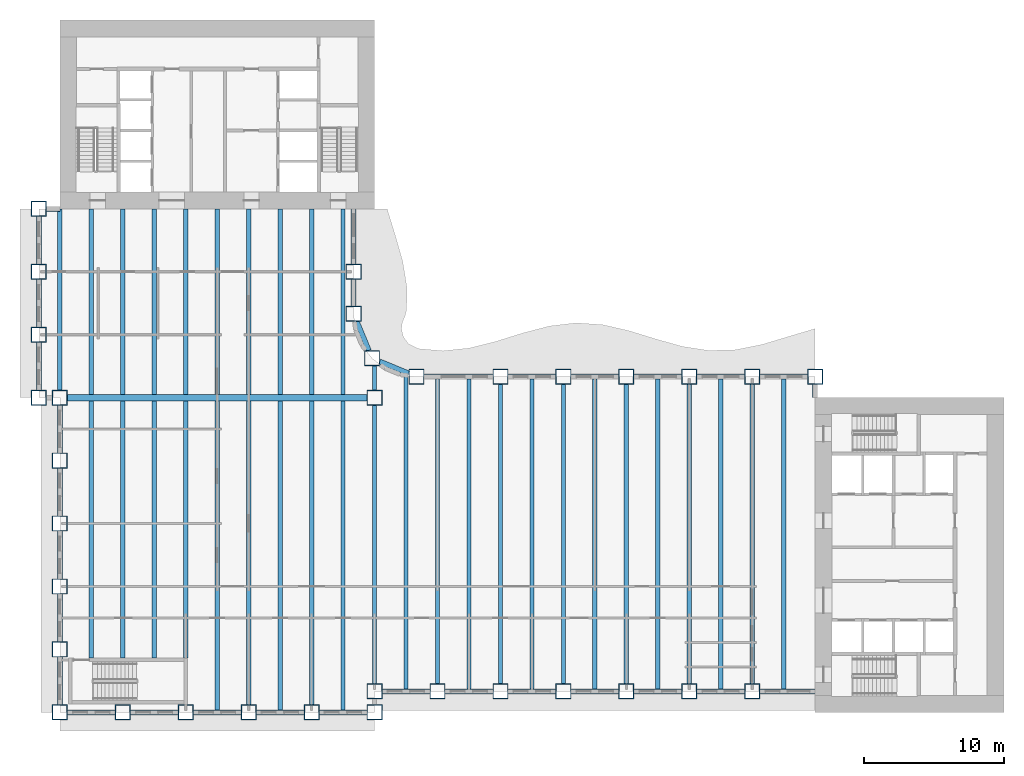
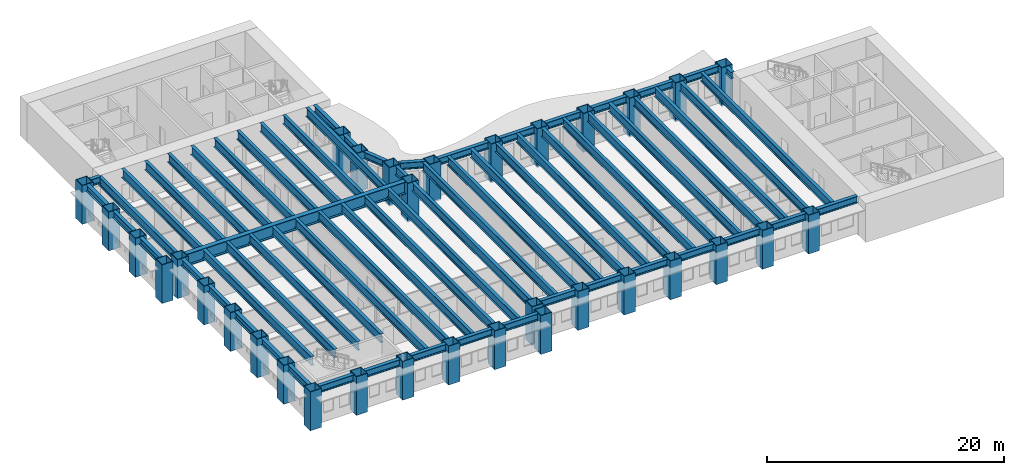
# One storey, part 1 of 16: 67 beams, 33 columns.
"""IFC4 building model written with IfcOpenShell, lengths in metres."""

from ifc_helpers import new_model, si_unit, direction, frame, origin, origin_2d, place, context, subcontext, project, spatial, hollow_rectangle, i_section, extrude, material, material_profile, profile_set, type_object, element, save


model = new_model("IFC4")

# Units and contexts
model_context = context("Model", 3, precision=1e-05, world=origin(), true_north=direction((0.0, 1.0)))
body_context = subcontext(model_context, "Body", "Model", "MODEL_VIEW")
ifc_project = project(units=[si_unit("LENGTHUNIT", "METRE"), si_unit("AREAUNIT", "SQUARE_METRE"), si_unit("VOLUMEUNIT", "CUBIC_METRE"), si_unit("PLANEANGLEUNIT", "RADIAN"), si_unit("MASSUNIT", "GRAM", prefix="KILO")], contexts=[model_context])

# Site, building, storey
site_placement = place(None, origin())
site = spatial("IfcSite", under=ifc_project, at=site_placement, CompositionType="ELEMENT")
building_placement = place(site_placement, origin())
building = spatial("IfcBuilding", under=site, at=building_placement, Name="Sennacour Bend Tower", CompositionType="ELEMENT")
storey_placement = place(building_placement, frame((0.0, 0.0, 57.0)))
storey = spatial("IfcBuildingStorey", under=building, at=storey_placement, Name="L12", CompositionType="ELEMENT", Elevation=57.0)

# Columns
ifc_material_1 = material(Name="Steel ASTM A572 Grade 50", Category="steel")
ifc_material_profile_1 = material_profile(ifc_material_1, hollow_rectangle(XDim=1.10009765625, YDim=1.10009765625, WallThickness=0.06005859375, at=origin_2d()), Name="Steel ASTM A572 Grade 50", Category="steel")
ifc_profile_set_1 = profile_set([ifc_material_profile_1], Name="Steel ASTM A572 Grade 50")
column_type = type_object("IfcColumnType", Name="Box column 1100", PredefinedType="COLUMN", material=ifc_profile_set_1)
for number, where, z_axis, x_axis, name in (
    (1, (-1.5, 22.5, -0.14990234375), (0.0, 0.0, 1.0), (1.0, 0.0, 0.0), "Perimeter column C1 L12-001"),
    (2, (-1.5, 27.0, -0.14990234375), (0.0, 0.0, 1.0), (1.0, 0.0, 0.0), "Perimeter column C1 L12-002"),
    (3, (-1.5, 31.5, -0.14990234375), (0.0, 0.0, 1.0), (1.0, 0.0, 0.0), "Perimeter column C1 L12-003"),
    (4, (-1.5, 36.0, -0.14990234375), (0.0, 0.0, 1.0), (1.0, 0.0, 0.0), "Perimeter column C1 L12-004"),
    (5, (0.0, 0.0, -0.14990234375), (0.0, 0.0, 1.0), (1.0, 0.0, 0.0), "Perimeter column C1 L12-005"),
    (6, (0.0, 4.5, -0.14990234375), (0.0, 0.0, 1.0), (1.0, 0.0, 0.0), "Perimeter column C1 L12-006"),
    (7, (0.0, 9.0, -0.14990234375), (0.0, 0.0, 1.0), (1.0, 0.0, 0.0), "Perimeter column C1 L12-007"),
    (8, (0.0, 13.5, -0.14990234375), (0.0, 0.0, 1.0), (1.0, 0.0, 0.0), "Perimeter column C1 L12-008"),
    (9, (0.0, 18.0, -0.14990234375), (0.0, 0.0, 1.0), (1.0, 0.0, 0.0), "Perimeter column C1 L12-009"),
    (10, (0.0, 22.5, -0.14990234375), (0.0, 0.0, 1.0), (1.0, 0.0, 0.0), "Perimeter column C1 L12-010"),
    (11, (4.5, 0.0, -0.14990234375), (0.0, 0.0, 1.0), (1.0, 0.0, 0.0), "Perimeter column C1 L12-011"),
    (12, (9.0, 0.0, -0.14990234375), (0.0, 0.0, 1.0), (1.0, 0.0, 0.0), "Perimeter column C1 L12-012"),
    (13, (13.5, 0.0, -0.14990234375), (0.0, 0.0, 1.0), (1.0, 0.0, 0.0), "Perimeter column C1 L12-013"),
    (14, (18.0, 0.0, -0.14990234375), (0.0, 0.0, 1.0), (1.0, 0.0, 0.0), "Perimeter column C1 L12-014"),
    (15, (21.0, 28.5, -0.14990234375), (0.0, 0.0, 1.0), (1.0, 0.0, 0.0), "Perimeter column C1 L12-015"),
    (16, (21.0, 31.5, -0.14990234375), (0.0, 0.0, 1.0), (1.0, 0.0, 0.0), "Perimeter column C1 L12-016"),
    (17, (22.318115234375, 25.318115234375, -0.14990234375), (0.0, 0.0, 1.0), (1.0, 0.0, 0.0), "Perimeter column C1 L12-017"),
    (18, (22.5, 0.0, -0.14990234375), (0.0, 0.0, 1.0), (1.0, 0.0, 0.0), "Perimeter column C1 L12-018"),
    (19, (22.5, 1.5, -0.14990234375), (0.0, 0.0, 1.0), (1.0, 0.0, 0.0), "Perimeter column C1 L12-019"),
    (20, (22.5, 22.5, -0.14990234375), (0.0, 0.0, 1.0), (1.0, 0.0, 0.0), "Knuckle column C1 L12-020"),
    (21, (25.5, 24.0, -0.14990234375), (0.0, 0.0, 1.0), (1.0, 0.0, 0.0), "Perimeter column C1 L12-021"),
    (22, (27.0, 1.5, -0.14990234375), (0.0, 0.0, 1.0), (1.0, 0.0, 0.0), "Perimeter column C1 L12-022"),
    (23, (31.5, 1.5, -0.14990234375), (0.0, 0.0, 1.0), (1.0, 0.0, 0.0), "Perimeter column C1 L12-023"),
    (24, (31.5, 24.0, -0.14990234375), (0.0, 0.0, 1.0), (1.0, 0.0, 0.0), "Perimeter column C1 L12-024"),
    (25, (36.0, 1.5, -0.14990234375), (0.0, 0.0, 1.0), (1.0, 0.0, 0.0), "Perimeter column C1 L12-025"),
    (26, (36.0, 24.0, -0.14990234375), (0.0, 0.0, 1.0), (1.0, 0.0, 0.0), "Perimeter column C1 L12-026"),
    (27, (40.5, 1.5, -0.14990234375), (0.0, 0.0, 1.0), (1.0, 0.0, 0.0), "Perimeter column C1 L12-027"),
    (28, (40.5, 24.0, -0.14990234375), (0.0, 0.0, 1.0), (1.0, 0.0, 0.0), "Perimeter column C1 L12-028"),
    (29, (45.0, 1.5, -0.14990234375), (0.0, 0.0, 1.0), (1.0, 0.0, 0.0), "Perimeter column C1 L12-029"),
    (30, (45.0, 24.0, -0.14990234375), (0.0, 0.0, 1.0), (1.0, 0.0, 0.0), "Perimeter column C1 L12-030"),
    (31, (49.5, 1.5, -0.14990234375), (0.0, 0.0, 1.0), (1.0, 0.0, 0.0), "Perimeter column C1 L12-031"),
    (32, (49.5, 24.0, -0.14990234375), (0.0, 0.0, 1.0), (1.0, 0.0, 0.0), "Perimeter column C1 L12-032"),
    (33, (54.0, 24.0, -0.14990234375), (0.0, 0.0, 1.0), (1.0, 0.0, 0.0), "Perimeter column C1 L12-033"),
):
    element("IfcColumn", number, at=place(storey_placement, frame(where, z_axis=z_axis, x_axis=x_axis)), inside=storey, type_object=column_type, Name=name, PredefinedType="COLUMN", context=body_context, shape_type="SweptSolid", body=[
        extrude(hollow_rectangle(XDim=1.10009765625, YDim=1.10009765625, WallThickness=0.06005859375, at=origin_2d()), origin(), (0.0, 0.0, 1.0), 4.0),
    ])

# Beams
ifc_material_2 = material(Name="Steel ASTM A992 Grade 50", Category="steel")
ifc_material_profile_2 = material_profile(ifc_material_2, i_section(OverallWidth=0.304931640625, OverallDepth=0.912109375, WebThickness=0.015869140625, FlangeThickness=0.02392578125, FilletRadius=0.01904296875, at=origin_2d()), Name="Steel ASTM A992 Grade 50", Category="steel")
ifc_profile_set_2 = profile_set([ifc_material_profile_2], Name="Steel ASTM A992 Grade 50")
beam_type_1 = type_object("IfcBeamType", Name="Floor beam W920X223", PredefinedType="BEAM", material=ifc_profile_set_2)
beam_1_placement = place(storey_placement, frame((0.0, 23.050048828125, 3.39404296875), z_axis=(0.0, 1.0, 0.0), x_axis=(-1.0, 0.0, 0.0)))
element("IfcBeam", 34, at=beam_1_placement, inside=storey, type_object=beam_type_1, Name="Floor beam FBM1 L13-001", PredefinedType="BEAM", context=body_context, shape_type="SweptSolid", body=[
    extrude(i_section(OverallWidth=0.304931640625, OverallDepth=0.912109375, WebThickness=0.015869140625, FlangeThickness=0.02392578125, FilletRadius=0.01904296875, at=origin_2d()), origin(), (0.0, 0.0, 1.0), 12.949951171875),
])
beam_2_placement = place(storey_placement, frame((2.25, 3.875, 3.39404296875), z_axis=(0.0, 1.0, 0.0), x_axis=(-1.0, 0.0, 0.0)))
element("IfcBeam", 35, at=beam_2_placement, inside=storey, type_object=beam_type_1, Name="Floor beam FBM1 L13-002", PredefinedType="BEAM", context=body_context, shape_type="SweptSolid", body=[
    extrude(i_section(OverallWidth=0.304931640625, OverallDepth=0.912109375, WebThickness=0.015869140625, FlangeThickness=0.02392578125, FilletRadius=0.01904296875, at=origin_2d()), origin(), (0.0, 0.0, 1.0), 18.39990234375),
])
beam_3_placement = place(storey_placement, frame((2.25, 22.72509765625, 3.39404296875), z_axis=(0.0, 1.0, 0.0), x_axis=(-1.0, 0.0, 0.0)))
element("IfcBeam", 36, at=beam_3_placement, inside=storey, type_object=beam_type_1, Name="Floor beam FBM1 L13-003", PredefinedType="BEAM", context=body_context, shape_type="SweptSolid", body=[
    extrude(i_section(OverallWidth=0.304931640625, OverallDepth=0.912109375, WebThickness=0.015869140625, FlangeThickness=0.02392578125, FilletRadius=0.01904296875, at=origin_2d()), origin(), (0.0, 0.0, 1.0), 13.27490234375),
])
beam_4_placement = place(storey_placement, frame((4.5, 3.875, 3.39404296875), z_axis=(0.0, 1.0, 0.0), x_axis=(-1.0, 0.0, 0.0)))
element("IfcBeam", 37, at=beam_4_placement, inside=storey, type_object=beam_type_1, Name="Floor beam FBM1 L13-004", PredefinedType="BEAM", context=body_context, shape_type="SweptSolid", body=[
    extrude(i_section(OverallWidth=0.304931640625, OverallDepth=0.912109375, WebThickness=0.015869140625, FlangeThickness=0.02392578125, FilletRadius=0.01904296875, at=origin_2d()), origin(), (0.0, 0.0, 1.0), 18.39990234375),
])
beam_5_placement = place(storey_placement, frame((4.5, 22.72509765625, 3.39404296875), z_axis=(0.0, 1.0, 0.0), x_axis=(-1.0, 0.0, 0.0)))
element("IfcBeam", 38, at=beam_5_placement, inside=storey, type_object=beam_type_1, Name="Floor beam FBM1 L13-005", PredefinedType="BEAM", context=body_context, shape_type="SweptSolid", body=[
    extrude(i_section(OverallWidth=0.304931640625, OverallDepth=0.912109375, WebThickness=0.015869140625, FlangeThickness=0.02392578125, FilletRadius=0.01904296875, at=origin_2d()), origin(), (0.0, 0.0, 1.0), 13.27490234375),
])
beam_6_placement = place(storey_placement, frame((6.75, 3.875, 3.39404296875), z_axis=(0.0, 1.0, 0.0), x_axis=(-1.0, 0.0, 0.0)))
element("IfcBeam", 39, at=beam_6_placement, inside=storey, type_object=beam_type_1, Name="Floor beam FBM1 L13-006", PredefinedType="BEAM", context=body_context, shape_type="SweptSolid", body=[
    extrude(i_section(OverallWidth=0.304931640625, OverallDepth=0.912109375, WebThickness=0.015869140625, FlangeThickness=0.02392578125, FilletRadius=0.01904296875, at=origin_2d()), origin(), (0.0, 0.0, 1.0), 18.39990234375),
])
beam_7_placement = place(storey_placement, frame((6.75, 22.72509765625, 3.39404296875), z_axis=(0.0, 1.0, 0.0), x_axis=(-1.0, 0.0, 0.0)))
element("IfcBeam", 40, at=beam_7_placement, inside=storey, type_object=beam_type_1, Name="Floor beam FBM1 L13-007", PredefinedType="BEAM", context=body_context, shape_type="SweptSolid", body=[
    extrude(i_section(OverallWidth=0.304931640625, OverallDepth=0.912109375, WebThickness=0.015869140625, FlangeThickness=0.02392578125, FilletRadius=0.01904296875, at=origin_2d()), origin(), (0.0, 0.0, 1.0), 13.27490234375),
])
beam_8_placement = place(storey_placement, frame((9.0, 3.875, 3.39404296875), z_axis=(0.0, 1.0, 0.0), x_axis=(-1.0, 0.0, 0.0)))
element("IfcBeam", 41, at=beam_8_placement, inside=storey, type_object=beam_type_1, Name="Floor beam FBM1 L13-008", PredefinedType="BEAM", context=body_context, shape_type="SweptSolid", body=[
    extrude(i_section(OverallWidth=0.304931640625, OverallDepth=0.912109375, WebThickness=0.015869140625, FlangeThickness=0.02392578125, FilletRadius=0.01904296875, at=origin_2d()), origin(), (0.0, 0.0, 1.0), 18.39990234375),
])
beam_9_placement = place(storey_placement, frame((9.0, 22.72509765625, 3.39404296875), z_axis=(0.0, 1.0, 0.0), x_axis=(-1.0, 0.0, 0.0)))
element("IfcBeam", 42, at=beam_9_placement, inside=storey, type_object=beam_type_1, Name="Floor beam FBM1 L13-009", PredefinedType="BEAM", context=body_context, shape_type="SweptSolid", body=[
    extrude(i_section(OverallWidth=0.304931640625, OverallDepth=0.912109375, WebThickness=0.015869140625, FlangeThickness=0.02392578125, FilletRadius=0.01904296875, at=origin_2d()), origin(), (0.0, 0.0, 1.0), 13.27490234375),
])
beam_10_placement = place(storey_placement, frame((11.25, 0.178955078125, 3.39404296875), z_axis=(0.0, 1.0, 0.0), x_axis=(-1.0, 0.0, 0.0)))
element("IfcBeam", 43, at=beam_10_placement, inside=storey, type_object=beam_type_1, Name="Floor beam FBM1 L13-010", PredefinedType="BEAM", context=body_context, shape_type="SweptSolid", body=[
    extrude(i_section(OverallWidth=0.304931640625, OverallDepth=0.912109375, WebThickness=0.015869140625, FlangeThickness=0.02392578125, FilletRadius=0.01904296875, at=origin_2d()), origin(), (0.0, 0.0, 1.0), 22.095947265625),
])
beam_11_placement = place(storey_placement, frame((11.25, 22.72509765625, 3.39404296875), z_axis=(0.0, 1.0, 0.0), x_axis=(-1.0, 0.0, 0.0)))
element("IfcBeam", 44, at=beam_11_placement, inside=storey, type_object=beam_type_1, Name="Floor beam FBM1 L13-011", PredefinedType="BEAM", context=body_context, shape_type="SweptSolid", body=[
    extrude(i_section(OverallWidth=0.304931640625, OverallDepth=0.912109375, WebThickness=0.015869140625, FlangeThickness=0.02392578125, FilletRadius=0.01904296875, at=origin_2d()), origin(), (0.0, 0.0, 1.0), 13.27490234375),
])
beam_12_placement = place(storey_placement, frame((13.5, 0.550048828125, 3.39404296875), z_axis=(0.0, 1.0, 0.0), x_axis=(-1.0, 0.0, 0.0)))
element("IfcBeam", 45, at=beam_12_placement, inside=storey, type_object=beam_type_1, Name="Floor beam FBM1 L13-012", PredefinedType="BEAM", context=body_context, shape_type="SweptSolid", body=[
    extrude(i_section(OverallWidth=0.304931640625, OverallDepth=0.912109375, WebThickness=0.015869140625, FlangeThickness=0.02392578125, FilletRadius=0.01904296875, at=origin_2d()), origin(), (0.0, 0.0, 1.0), 21.724853515625),
])
beam_13_placement = place(storey_placement, frame((13.5, 22.72509765625, 3.39404296875), z_axis=(0.0, 1.0, 0.0), x_axis=(-1.0, 0.0, 0.0)))
element("IfcBeam", 46, at=beam_13_placement, inside=storey, type_object=beam_type_1, Name="Floor beam FBM1 L13-013", PredefinedType="BEAM", context=body_context, shape_type="SweptSolid", body=[
    extrude(i_section(OverallWidth=0.304931640625, OverallDepth=0.912109375, WebThickness=0.015869140625, FlangeThickness=0.02392578125, FilletRadius=0.01904296875, at=origin_2d()), origin(), (0.0, 0.0, 1.0), 13.27490234375),
])
beam_14_placement = place(storey_placement, frame((15.75, 0.178955078125, 3.39404296875), z_axis=(0.0, 1.0, 0.0), x_axis=(-1.0, 0.0, 0.0)))
element("IfcBeam", 47, at=beam_14_placement, inside=storey, type_object=beam_type_1, Name="Floor beam FBM1 L13-014", PredefinedType="BEAM", context=body_context, shape_type="SweptSolid", body=[
    extrude(i_section(OverallWidth=0.304931640625, OverallDepth=0.912109375, WebThickness=0.015869140625, FlangeThickness=0.02392578125, FilletRadius=0.01904296875, at=origin_2d()), origin(), (0.0, 0.0, 1.0), 22.095947265625),
])
beam_15_placement = place(storey_placement, frame((15.75, 22.72509765625, 3.39404296875), z_axis=(0.0, 1.0, 0.0), x_axis=(-1.0, 0.0, 0.0)))
element("IfcBeam", 48, at=beam_15_placement, inside=storey, type_object=beam_type_1, Name="Floor beam FBM1 L13-015", PredefinedType="BEAM", context=body_context, shape_type="SweptSolid", body=[
    extrude(i_section(OverallWidth=0.304931640625, OverallDepth=0.912109375, WebThickness=0.015869140625, FlangeThickness=0.02392578125, FilletRadius=0.01904296875, at=origin_2d()), origin(), (0.0, 0.0, 1.0), 13.27490234375),
])
beam_16_placement = place(storey_placement, frame((18.0, 0.550048828125, 3.39404296875), z_axis=(0.0, 1.0, 0.0), x_axis=(-1.0, 0.0, 0.0)))
element("IfcBeam", 49, at=beam_16_placement, inside=storey, type_object=beam_type_1, Name="Floor beam FBM1 L13-016", PredefinedType="BEAM", context=body_context, shape_type="SweptSolid", body=[
    extrude(i_section(OverallWidth=0.304931640625, OverallDepth=0.912109375, WebThickness=0.015869140625, FlangeThickness=0.02392578125, FilletRadius=0.01904296875, at=origin_2d()), origin(), (0.0, 0.0, 1.0), 21.724853515625),
])
beam_17_placement = place(storey_placement, frame((18.0, 22.72509765625, 3.39404296875), z_axis=(0.0, 1.0, 0.0), x_axis=(-1.0, 0.0, 0.0)))
element("IfcBeam", 50, at=beam_17_placement, inside=storey, type_object=beam_type_1, Name="Floor beam FBM1 L13-017", PredefinedType="BEAM", context=body_context, shape_type="SweptSolid", body=[
    extrude(i_section(OverallWidth=0.304931640625, OverallDepth=0.912109375, WebThickness=0.015869140625, FlangeThickness=0.02392578125, FilletRadius=0.01904296875, at=origin_2d()), origin(), (0.0, 0.0, 1.0), 13.27490234375),
])
beam_18_placement = place(storey_placement, frame((20.25, 0.178955078125, 3.39404296875), z_axis=(0.0, 1.0, 0.0), x_axis=(-1.0, 0.0, 0.0)))
element("IfcBeam", 51, at=beam_18_placement, inside=storey, type_object=beam_type_1, Name="Floor beam FBM1 L13-018", PredefinedType="BEAM", context=body_context, shape_type="SweptSolid", body=[
    extrude(i_section(OverallWidth=0.304931640625, OverallDepth=0.912109375, WebThickness=0.015869140625, FlangeThickness=0.02392578125, FilletRadius=0.01904296875, at=origin_2d()), origin(), (0.0, 0.0, 1.0), 22.095947265625),
])
beam_19_placement = place(storey_placement, frame((20.25, 22.72509765625, 3.39404296875), z_axis=(0.0, 1.0, 0.0), x_axis=(-1.0, 0.0, 0.0)))
element("IfcBeam", 52, at=beam_19_placement, inside=storey, type_object=beam_type_1, Name="Floor beam FBM1 L13-019", PredefinedType="BEAM", context=body_context, shape_type="SweptSolid", body=[
    extrude(i_section(OverallWidth=0.304931640625, OverallDepth=0.912109375, WebThickness=0.015869140625, FlangeThickness=0.02392578125, FilletRadius=0.01904296875, at=origin_2d()), origin(), (0.0, 0.0, 1.0), 13.27490234375),
])
beam_20_placement = place(storey_placement, frame((22.5, 2.050048828125, 3.39404296875), z_axis=(0.0, 1.0, 0.0), x_axis=(-1.0, 0.0, 0.0)))
element("IfcBeam", 53, at=beam_20_placement, inside=storey, type_object=beam_type_1, Name="Floor beam FBM1 L13-020", PredefinedType="BEAM", context=body_context, shape_type="SweptSolid", body=[
    extrude(i_section(OverallWidth=0.304931640625, OverallDepth=0.912109375, WebThickness=0.015869140625, FlangeThickness=0.02392578125, FilletRadius=0.01904296875, at=origin_2d()), origin(), (0.0, 0.0, 1.0), 19.89990234375),
])
beam_21_placement = place(storey_placement, frame((22.5, 23.050048828125, 3.39404296875), z_axis=(0.0, 1.0, 0.0), x_axis=(-1.0, 0.0, 0.0)))
element("IfcBeam", 54, at=beam_21_placement, inside=storey, type_object=beam_type_1, Name="Floor beam FBM1 L13-021", PredefinedType="BEAM", context=body_context, shape_type="SweptSolid", body=[
    extrude(i_section(OverallWidth=0.304931640625, OverallDepth=0.912109375, WebThickness=0.015869140625, FlangeThickness=0.02392578125, FilletRadius=0.01904296875, at=origin_2d()), origin(), (0.0, 0.0, 1.0), 1.718017578125),
])
beam_22_placement = place(storey_placement, frame((24.75, 1.678955078125, 3.39404296875), z_axis=(0.0, 1.0, 0.0), x_axis=(-1.0, 0.0, 0.0)))
element("IfcBeam", 55, at=beam_22_placement, inside=storey, type_object=beam_type_1, Name="Floor beam FBM1 L13-022", PredefinedType="BEAM", context=body_context, shape_type="SweptSolid", body=[
    extrude(i_section(OverallWidth=0.304931640625, OverallDepth=0.912109375, WebThickness=0.015869140625, FlangeThickness=0.02392578125, FilletRadius=0.01904296875, at=origin_2d()), origin(), (0.0, 0.0, 1.0), 22.43798828125),
])
beam_23_placement = place(storey_placement, frame((27.0, 2.050048828125, 3.39404296875), z_axis=(0.0, 1.0, 0.0), x_axis=(-1.0, 0.0, 0.0)))
element("IfcBeam", 56, at=beam_23_placement, inside=storey, type_object=beam_type_1, Name="Floor beam FBM1 L13-023", PredefinedType="BEAM", context=body_context, shape_type="SweptSolid", body=[
    extrude(i_section(OverallWidth=0.304931640625, OverallDepth=0.912109375, WebThickness=0.015869140625, FlangeThickness=0.02392578125, FilletRadius=0.01904296875, at=origin_2d()), origin(), (0.0, 0.0, 1.0), 21.77099609375),
])
beam_24_placement = place(storey_placement, frame((29.25, 1.678955078125, 3.39404296875), z_axis=(0.0, 1.0, 0.0), x_axis=(-1.0, 0.0, 0.0)))
element("IfcBeam", 57, at=beam_24_placement, inside=storey, type_object=beam_type_1, Name="Floor beam FBM1 L13-024", PredefinedType="BEAM", context=body_context, shape_type="SweptSolid", body=[
    extrude(i_section(OverallWidth=0.304931640625, OverallDepth=0.912109375, WebThickness=0.015869140625, FlangeThickness=0.02392578125, FilletRadius=0.01904296875, at=origin_2d()), origin(), (0.0, 0.0, 1.0), 22.14208984375),
])
beam_25_placement = place(storey_placement, frame((31.5, 2.050048828125, 3.39404296875), z_axis=(0.0, 1.0, 0.0), x_axis=(-1.0, 0.0, 0.0)))
element("IfcBeam", 58, at=beam_25_placement, inside=storey, type_object=beam_type_1, Name="Floor beam FBM1 L13-025", PredefinedType="BEAM", context=body_context, shape_type="SweptSolid", body=[
    extrude(i_section(OverallWidth=0.304931640625, OverallDepth=0.912109375, WebThickness=0.015869140625, FlangeThickness=0.02392578125, FilletRadius=0.01904296875, at=origin_2d()), origin(), (0.0, 0.0, 1.0), 21.39990234375),
])
beam_26_placement = place(storey_placement, frame((33.75, 1.678955078125, 3.39404296875), z_axis=(0.0, 1.0, 0.0), x_axis=(-1.0, 0.0, 0.0)))
element("IfcBeam", 59, at=beam_26_placement, inside=storey, type_object=beam_type_1, Name="Floor beam FBM1 L13-026", PredefinedType="BEAM", context=body_context, shape_type="SweptSolid", body=[
    extrude(i_section(OverallWidth=0.304931640625, OverallDepth=0.912109375, WebThickness=0.015869140625, FlangeThickness=0.02392578125, FilletRadius=0.01904296875, at=origin_2d()), origin(), (0.0, 0.0, 1.0), 22.14208984375),
])
beam_27_placement = place(storey_placement, frame((36.0, 2.050048828125, 3.39404296875), z_axis=(0.0, 1.0, 0.0), x_axis=(-1.0, 0.0, 0.0)))
element("IfcBeam", 60, at=beam_27_placement, inside=storey, type_object=beam_type_1, Name="Floor beam FBM1 L13-027", PredefinedType="BEAM", context=body_context, shape_type="SweptSolid", body=[
    extrude(i_section(OverallWidth=0.304931640625, OverallDepth=0.912109375, WebThickness=0.015869140625, FlangeThickness=0.02392578125, FilletRadius=0.01904296875, at=origin_2d()), origin(), (0.0, 0.0, 1.0), 21.39990234375),
])
beam_28_placement = place(storey_placement, frame((38.25, 1.678955078125, 3.39404296875), z_axis=(0.0, 1.0, 0.0), x_axis=(-1.0, 0.0, 0.0)))
element("IfcBeam", 61, at=beam_28_placement, inside=storey, type_object=beam_type_1, Name="Floor beam FBM1 L13-028", PredefinedType="BEAM", context=body_context, shape_type="SweptSolid", body=[
    extrude(i_section(OverallWidth=0.304931640625, OverallDepth=0.912109375, WebThickness=0.015869140625, FlangeThickness=0.02392578125, FilletRadius=0.01904296875, at=origin_2d()), origin(), (0.0, 0.0, 1.0), 22.14208984375),
])
beam_29_placement = place(storey_placement, frame((40.5, 2.050048828125, 3.39404296875), z_axis=(0.0, 1.0, 0.0), x_axis=(-1.0, 0.0, 0.0)))
element("IfcBeam", 62, at=beam_29_placement, inside=storey, type_object=beam_type_1, Name="Floor beam FBM1 L13-029", PredefinedType="BEAM", context=body_context, shape_type="SweptSolid", body=[
    extrude(i_section(OverallWidth=0.304931640625, OverallDepth=0.912109375, WebThickness=0.015869140625, FlangeThickness=0.02392578125, FilletRadius=0.01904296875, at=origin_2d()), origin(), (0.0, 0.0, 1.0), 21.39990234375),
])
beam_30_placement = place(storey_placement, frame((42.75, 1.678955078125, 3.39404296875), z_axis=(0.0, 1.0, 0.0), x_axis=(-1.0, 0.0, 0.0)))
element("IfcBeam", 63, at=beam_30_placement, inside=storey, type_object=beam_type_1, Name="Floor beam FBM1 L13-030", PredefinedType="BEAM", context=body_context, shape_type="SweptSolid", body=[
    extrude(i_section(OverallWidth=0.304931640625, OverallDepth=0.912109375, WebThickness=0.015869140625, FlangeThickness=0.02392578125, FilletRadius=0.01904296875, at=origin_2d()), origin(), (0.0, 0.0, 1.0), 22.14208984375),
])
beam_31_placement = place(storey_placement, frame((45.0, 2.050048828125, 3.39404296875), z_axis=(0.0, 1.0, 0.0), x_axis=(-1.0, 0.0, 0.0)))
element("IfcBeam", 64, at=beam_31_placement, inside=storey, type_object=beam_type_1, Name="Floor beam FBM1 L13-031", PredefinedType="BEAM", context=body_context, shape_type="SweptSolid", body=[
    extrude(i_section(OverallWidth=0.304931640625, OverallDepth=0.912109375, WebThickness=0.015869140625, FlangeThickness=0.02392578125, FilletRadius=0.01904296875, at=origin_2d()), origin(), (0.0, 0.0, 1.0), 21.39990234375),
])
beam_32_placement = place(storey_placement, frame((47.25, 1.678955078125, 3.39404296875), z_axis=(0.0, 1.0, 0.0), x_axis=(-1.0, 0.0, 0.0)))
element("IfcBeam", 65, at=beam_32_placement, inside=storey, type_object=beam_type_1, Name="Floor beam FBM1 L13-032", PredefinedType="BEAM", context=body_context, shape_type="SweptSolid", body=[
    extrude(i_section(OverallWidth=0.304931640625, OverallDepth=0.912109375, WebThickness=0.015869140625, FlangeThickness=0.02392578125, FilletRadius=0.01904296875, at=origin_2d()), origin(), (0.0, 0.0, 1.0), 22.14208984375),
])
beam_33_placement = place(storey_placement, frame((49.5, 2.050048828125, 3.39404296875), z_axis=(0.0, 1.0, 0.0), x_axis=(-1.0, 0.0, 0.0)))
element("IfcBeam", 66, at=beam_33_placement, inside=storey, type_object=beam_type_1, Name="Floor beam FBM1 L13-033", PredefinedType="BEAM", context=body_context, shape_type="SweptSolid", body=[
    extrude(i_section(OverallWidth=0.304931640625, OverallDepth=0.912109375, WebThickness=0.015869140625, FlangeThickness=0.02392578125, FilletRadius=0.01904296875, at=origin_2d()), origin(), (0.0, 0.0, 1.0), 21.39990234375),
])
beam_34_placement = place(storey_placement, frame((51.75, 1.678955078125, 3.39404296875), z_axis=(0.0, 1.0, 0.0), x_axis=(-1.0, 0.0, 0.0)))
element("IfcBeam", 67, at=beam_34_placement, inside=storey, type_object=beam_type_1, Name="Floor beam FBM1 L13-034", PredefinedType="BEAM", context=body_context, shape_type="SweptSolid", body=[
    extrude(i_section(OverallWidth=0.304931640625, OverallDepth=0.912109375, WebThickness=0.015869140625, FlangeThickness=0.02392578125, FilletRadius=0.01904296875, at=origin_2d()), origin(), (0.0, 0.0, 1.0), 22.14208984375),
])
ifc_material_profile_3 = material_profile(ifc_material_1, i_section(OverallWidth=0.449951171875, OverallDepth=1.25, WebThickness=0.028076171875, FlangeThickness=0.050048828125, at=origin_2d()), Name="Steel ASTM A572 Grade 50", Category="steel")
ifc_profile_set_3 = profile_set([ifc_material_profile_3], Name="Steel ASTM A572 Grade 50")
beam_type_2 = type_object("IfcBeamType", Name="Knuckle girder 1250", PredefinedType="USERDEFINED", material=ifc_profile_set_3)
beam_35_placement = place(storey_placement, frame((0.550048828125, 22.5, 3.22509765625), z_axis=(1.0, 0.0, 0.0), x_axis=(0.0, 1.0, 0.0)))
element("IfcBeam", 68, at=beam_35_placement, inside=storey, type_object=beam_type_2, Name="Knuckle girder GK L13-001", ObjectType="KNUCKLE GIRDER", PredefinedType="USERDEFINED", context=body_context, shape_type="SweptSolid", body=[
    extrude(i_section(OverallWidth=0.449951171875, OverallDepth=1.25, WebThickness=0.028076171875, FlangeThickness=0.050048828125, at=origin_2d()), origin(), (0.0, 0.0, 1.0), 21.39990234375),
])
ifc_material_profile_4 = material_profile(ifc_material_2, i_section(OverallWidth=0.35791015625, OverallDepth=0.7060546875, WebThickness=0.018310546875, FlangeThickness=0.0302734375, FilletRadius=0.02001953125, at=origin_2d()), Name="Steel ASTM A992 Grade 50", Category="steel")
ifc_profile_set_4 = profile_set([ifc_material_profile_4], Name="Steel ASTM A992 Grade 50")
beam_type_3 = type_object("IfcBeamType", Name="Spandrel beam W690X265", PredefinedType="SPANDREL", material=ifc_profile_set_4)
for number, where, z_axis, x_axis, name in (
    (69, (0.0, 0.550048828125, 3.4970703125), (0.0, 1.0, 0.0), (-1.0, 0.0, 0.0), "Spandrel beam SP2 L13-001"),
    (70, (0.0, 5.050048828125, 3.4970703125), (0.0, 1.0, 0.0), (-1.0, 0.0, 0.0), "Spandrel beam SP2 L13-002"),
    (71, (0.0, 9.550048828125, 3.4970703125), (0.0, 1.0, 0.0), (-1.0, 0.0, 0.0), "Spandrel beam SP2 L13-003"),
    (72, (0.0, 14.050048828125, 3.4970703125), (0.0, 1.0, 0.0), (-1.0, 0.0, 0.0), "Spandrel beam SP2 L13-004"),
    (73, (0.0, 18.550048828125, 3.4970703125), (0.0, 1.0, 0.0), (-1.0, 0.0, 0.0), "Spandrel beam SP2 L13-005"),
    (74, (-1.5, 23.050048828125, 3.4970703125), (0.0, 1.0, 0.0), (-1.0, 0.0, 0.0), "Spandrel beam SP2 L13-006"),
    (75, (-1.5, 27.550048828125, 3.4970703125), (0.0, 1.0, 0.0), (-1.0, 0.0, 0.0), "Spandrel beam SP2 L13-007"),
    (76, (-1.5, 32.050048828125, 3.4970703125), (0.0, 1.0, 0.0), (-1.0, 0.0, 0.0), "Spandrel beam SP2 L13-008"),
):
    element("IfcBeam", number, at=place(storey_placement, frame(where, z_axis=z_axis, x_axis=x_axis)), inside=storey, type_object=beam_type_3, Name=name, PredefinedType="SPANDREL", context=body_context, shape_type="SweptSolid", body=[
        extrude(i_section(OverallWidth=0.35791015625, OverallDepth=0.7060546875, WebThickness=0.018310546875, FlangeThickness=0.0302734375, FilletRadius=0.02001953125, at=origin_2d()), origin(), (0.0, 0.0, 1.0), 3.39990234375),
    ])
beam_36_placement = place(storey_placement, frame((-0.949951171875, 36.0, 3.4970703125), z_axis=(1.0, 0.0, 0.0), x_axis=(0.0, 1.0, 0.0)))
element("IfcBeam", 77, at=beam_36_placement, inside=storey, type_object=beam_type_3, Name="Spandrel beam SP2 L13-009", PredefinedType="SPANDREL", context=body_context, shape_type="SweptSolid", body=[
    extrude(i_section(OverallWidth=0.35791015625, OverallDepth=0.7060546875, WebThickness=0.018310546875, FlangeThickness=0.0302734375, FilletRadius=0.02001953125, at=origin_2d()), origin(), (0.0, 0.0, 1.0), 0.949951171875),
])
beam_37_placement = place(storey_placement, frame((21.0, 36.0, 3.4970703125), z_axis=(0.0, -1.0, 0.0), x_axis=(1.0, 0.0, 0.0)))
element("IfcBeam", 78, at=beam_37_placement, inside=storey, type_object=beam_type_3, Name="Spandrel beam SP2 L13-010", PredefinedType="SPANDREL", context=body_context, shape_type="SweptSolid", body=[
    extrude(i_section(OverallWidth=0.35791015625, OverallDepth=0.7060546875, WebThickness=0.018310546875, FlangeThickness=0.0302734375, FilletRadius=0.02001953125, at=origin_2d()), origin(), (0.0, 0.0, 1.0), 3.949951171875),
])
beam_38_placement = place(storey_placement, frame((21.0, 30.949951171875, 3.4970703125), z_axis=(0.0, -1.0, 0.0), x_axis=(1.0, 0.0, 0.0)))
element("IfcBeam", 79, at=beam_38_placement, inside=storey, type_object=beam_type_3, Name="Spandrel beam SP2 L13-011", PredefinedType="SPANDREL", context=body_context, shape_type="SweptSolid", body=[
    extrude(i_section(OverallWidth=0.35791015625, OverallDepth=0.7060546875, WebThickness=0.018310546875, FlangeThickness=0.0302734375, FilletRadius=0.02001953125, at=origin_2d()), origin(), (0.0, 0.0, 1.0), 1.89990234375),
])
for number, where, z_axis, x_axis, name in (
    (80, (21.227783203125, 27.949951171875, 3.4970703125), (0.382645217415, -0.923895360736, 0.0), (0.923895360736, 0.382645217415, 0.0), "Spandrel beam SP2 L13-012"),
    (81, (22.867919921875, 25.090087890625, 3.4970703125), (0.923895360736, -0.382645217415, 0.0), (0.382645217415, 0.923895360736, 0.0), "Spandrel beam SP2 L13-013"),
):
    element("IfcBeam", number, at=place(storey_placement, frame(where, z_axis=z_axis, x_axis=x_axis)), inside=storey, type_object=beam_type_3, Name=name, PredefinedType="SPANDREL", context=body_context, shape_type="SweptSolid", body=[
        extrude(i_section(OverallWidth=0.35791015625, OverallDepth=0.7060546875, WebThickness=0.018310546875, FlangeThickness=0.0302734375, FilletRadius=0.02001953125, at=origin_2d()), origin(), (0.0, 0.0, 1.0), 2.25341796875),
    ])
beam_39_placement = place(storey_placement, frame((26.050048828125, 24.0, 3.4970703125), z_axis=(1.0, 0.0, 0.0), x_axis=(0.0, 1.0, 0.0)))
element("IfcBeam", 82, at=beam_39_placement, inside=storey, type_object=beam_type_3, Name="Spandrel beam SP2 L13-014", PredefinedType="SPANDREL", context=body_context, shape_type="SweptSolid", body=[
    extrude(i_section(OverallWidth=0.35791015625, OverallDepth=0.7060546875, WebThickness=0.018310546875, FlangeThickness=0.0302734375, FilletRadius=0.02001953125, at=origin_2d()), origin(), (0.0, 0.0, 1.0), 4.89990234375),
])
for number, where, z_axis, x_axis, name in (
    (83, (32.050048828125, 24.0, 3.4970703125), (1.0, 0.0, 0.0), (0.0, 1.0, 0.0), "Spandrel beam SP2 L13-015"),
    (84, (36.550048828125, 24.0, 3.4970703125), (1.0, 0.0, 0.0), (0.0, 1.0, 0.0), "Spandrel beam SP2 L13-016"),
    (85, (41.050048828125, 24.0, 3.4970703125), (1.0, 0.0, 0.0), (0.0, 1.0, 0.0), "Spandrel beam SP2 L13-017"),
    (86, (45.550048828125, 24.0, 3.4970703125), (1.0, 0.0, 0.0), (0.0, 1.0, 0.0), "Spandrel beam SP2 L13-018"),
    (87, (50.050048828125, 24.0, 3.4970703125), (1.0, 0.0, 0.0), (0.0, 1.0, 0.0), "Spandrel beam SP2 L13-019"),
):
    element("IfcBeam", number, at=place(storey_placement, frame(where, z_axis=z_axis, x_axis=x_axis)), inside=storey, type_object=beam_type_3, Name=name, PredefinedType="SPANDREL", context=body_context, shape_type="SweptSolid", body=[
        extrude(i_section(OverallWidth=0.35791015625, OverallDepth=0.7060546875, WebThickness=0.018310546875, FlangeThickness=0.0302734375, FilletRadius=0.02001953125, at=origin_2d()), origin(), (0.0, 0.0, 1.0), 3.39990234375),
    ])
beam_40_placement = place(storey_placement, frame((54.0, 23.449951171875, 3.4970703125), z_axis=(0.0, -1.0, 0.0), x_axis=(1.0, 0.0, 0.0)))
element("IfcBeam", 88, at=beam_40_placement, inside=storey, type_object=beam_type_3, Name="Spandrel beam SP2 L13-020", PredefinedType="SPANDREL", context=body_context, shape_type="SweptSolid", body=[
    extrude(i_section(OverallWidth=0.35791015625, OverallDepth=0.7060546875, WebThickness=0.018310546875, FlangeThickness=0.0302734375, FilletRadius=0.02001953125, at=origin_2d()), origin(), (0.0, 0.0, 1.0), 0.949951171875),
])
beam_41_placement = place(storey_placement, frame((54.0, 1.5, 3.4970703125), z_axis=(-1.0, 0.0, 0.0), x_axis=(0.0, -1.0, 0.0)))
element("IfcBeam", 89, at=beam_41_placement, inside=storey, type_object=beam_type_3, Name="Spandrel beam SP2 L13-021", PredefinedType="SPANDREL", context=body_context, shape_type="SweptSolid", body=[
    extrude(i_section(OverallWidth=0.35791015625, OverallDepth=0.7060546875, WebThickness=0.018310546875, FlangeThickness=0.0302734375, FilletRadius=0.02001953125, at=origin_2d()), origin(), (0.0, 0.0, 1.0), 3.949951171875),
])
for number, where, z_axis, x_axis, name in (
    (90, (48.949951171875, 1.5, 3.4970703125), (-1.0, 0.0, 0.0), (0.0, -1.0, 0.0), "Spandrel beam SP2 L13-022"),
    (91, (44.449951171875, 1.5, 3.4970703125), (-1.0, 0.0, 0.0), (0.0, -1.0, 0.0), "Spandrel beam SP2 L13-023"),
    (92, (39.949951171875, 1.5, 3.4970703125), (-1.0, 0.0, 0.0), (0.0, -1.0, 0.0), "Spandrel beam SP2 L13-024"),
    (93, (35.449951171875, 1.5, 3.4970703125), (-1.0, 0.0, 0.0), (0.0, -1.0, 0.0), "Spandrel beam SP2 L13-025"),
    (94, (30.949951171875, 1.5, 3.4970703125), (-1.0, 0.0, 0.0), (0.0, -1.0, 0.0), "Spandrel beam SP2 L13-026"),
    (95, (26.449951171875, 1.5, 3.4970703125), (-1.0, 0.0, 0.0), (0.0, -1.0, 0.0), "Spandrel beam SP2 L13-027"),
    (96, (21.949951171875, 0.0, 3.4970703125), (-1.0, 0.0, 0.0), (0.0, -1.0, 0.0), "Spandrel beam SP2 L13-028"),
    (97, (17.449951171875, 0.0, 3.4970703125), (-1.0, 0.0, 0.0), (0.0, -1.0, 0.0), "Spandrel beam SP2 L13-029"),
    (98, (12.949951171875, 0.0, 3.4970703125), (-1.0, 0.0, 0.0), (0.0, -1.0, 0.0), "Spandrel beam SP2 L13-030"),
    (99, (8.449951171875, 0.0, 3.4970703125), (-1.0, 0.0, 0.0), (0.0, -1.0, 0.0), "Spandrel beam SP2 L13-031"),
    (100, (3.949951171875, 0.0, 3.4970703125), (-1.0, 0.0, 0.0), (0.0, -1.0, 0.0), "Spandrel beam SP2 L13-032"),
):
    element("IfcBeam", number, at=place(storey_placement, frame(where, z_axis=z_axis, x_axis=x_axis)), inside=storey, type_object=beam_type_3, Name=name, PredefinedType="SPANDREL", context=body_context, shape_type="SweptSolid", body=[
        extrude(i_section(OverallWidth=0.35791015625, OverallDepth=0.7060546875, WebThickness=0.018310546875, FlangeThickness=0.0302734375, FilletRadius=0.02001953125, at=origin_2d()), origin(), (0.0, 0.0, 1.0), 3.39990234375),
    ])

save(model, "model.ifc")
